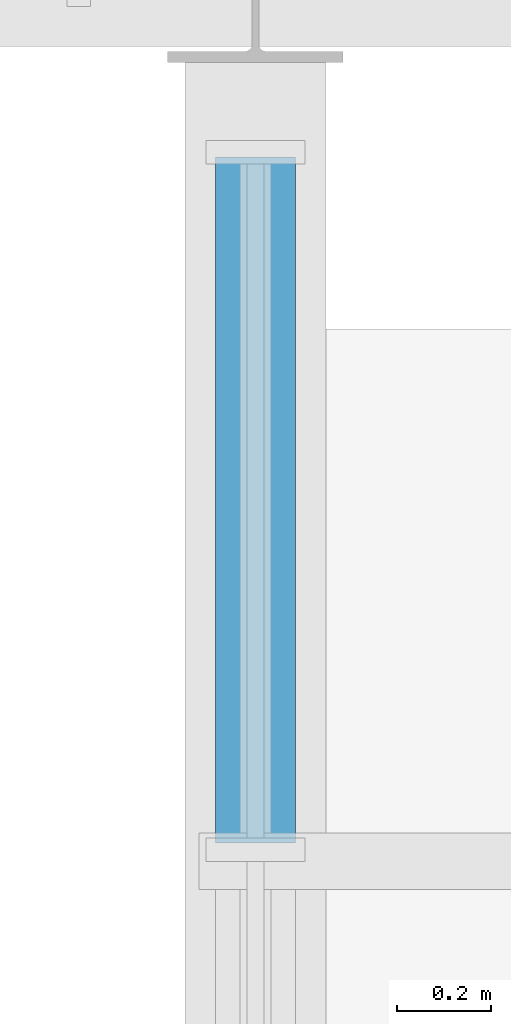
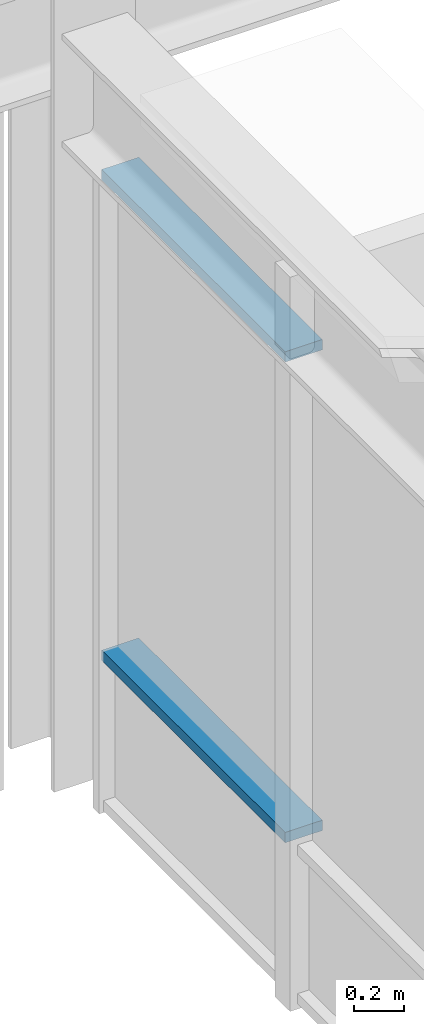
# One storey, part 46 of 98: 2 members, 1 element without a shape of its own.
"""IFC4 building model written with IfcOpenShell, lengths in metres."""

from ifc_helpers import new_model, si_unit, direction, frame, origin, origin_2d, place, context, subcontext, project, spatial, rectangle, extrude, material, material_profile, profile_set, type_object, element, aggregate, save


model = new_model("IFC4")

# Units and contexts
model_context = context("Model", 3, precision=1e-05, world=origin(), true_north=direction((0.0, 1.0)))
body_context = subcontext(model_context, "Body", "Model", "MODEL_VIEW")
ifc_project = project(units=[si_unit("LENGTHUNIT", "METRE"), si_unit("AREAUNIT", "SQUARE_METRE"), si_unit("VOLUMEUNIT", "CUBIC_METRE"), si_unit("PLANEANGLEUNIT", "RADIAN"), si_unit("MASSUNIT", "GRAM", prefix="KILO")], contexts=[model_context])

# Site, building, storey
site_placement = place(None, origin())
site = spatial("IfcSite", under=ifc_project, at=site_placement, CompositionType="ELEMENT")
building_placement = place(site_placement, origin())
building = spatial("IfcBuilding", under=site, at=building_placement, Name="Larkveld Mobility Hub", CompositionType="ELEMENT")
storey_placement = place(building_placement, frame((0.0, 0.0, 4.5)))
storey = spatial("IfcBuildingStorey", under=building, at=storey_placement, Name="L01", CompositionType="ELEMENT", Elevation=4.5)

# Curtain wall, members
ifc_material = material(Name="Anodised aluminium 6063-T6", Category="aluminium")
curtain_wall_type = type_object("IfcCurtainWallType", Name="CW-SYS-03", PredefinedType="NOTDEFINED", material=ifc_material)
curtain_wall_placement = place(storey_placement, origin())
curtain_wall = element("IfcCurtainWall", 1, at=curtain_wall_placement, inside=storey, type_object=curtain_wall_type, Name="Bus Hall Upper East Glazing B7 CW-063", PredefinedType="NOTDEFINED")
ifc_material_profile = material_profile(ifc_material, rectangle(XDim=0.169921875, YDim=0.050048828125, at=origin_2d()), Name="ALU TRAN 50x170")
ifc_profile_set = profile_set([ifc_material_profile], Name="Anodised aluminium 6063-T6")
member_type = type_object("IfcMemberType", Name="CW-TRN-03", PredefinedType="USERDEFINED", material=ifc_profile_set)
member_1_placement = place(storey_placement, frame((184.0, 124.158935546875, 0.75), z_axis=(0.0, 1.0, 0.0), x_axis=(-1.0, 0.0, 0.0)))
member_1 = element("IfcMember", 2, at=member_1_placement, type_object=member_type, Name="CW03 transom 4.2", ObjectType="TRANSOM", PredefinedType="USERDEFINED", context=body_context, shape_type="SweptSolid", body=[
    extrude(rectangle(XDim=0.169921875, YDim=0.050048828125, at=origin_2d()), origin(), (0.0, 0.0, 1.0), 1.4560546875),
])
member_2_placement = place(storey_placement, frame((184.0, 124.158935546875, 3.077880859375), z_axis=(0.0, 1.0, 0.0), x_axis=(-1.0, 0.0, 0.0)))
member_2 = element("IfcMember", 3, at=member_2_placement, type_object=member_type, Name="CW03 transom 4.3", ObjectType="TRANSOM", PredefinedType="USERDEFINED", context=body_context, shape_type="SweptSolid", body=[
    extrude(rectangle(XDim=0.169921875, YDim=0.050048828125, at=origin_2d()), origin(), (0.0, 0.0, 1.0), 1.4560546875),
])
aggregate(curtain_wall, [member_1, member_2])

save(model, "model.ifc")
